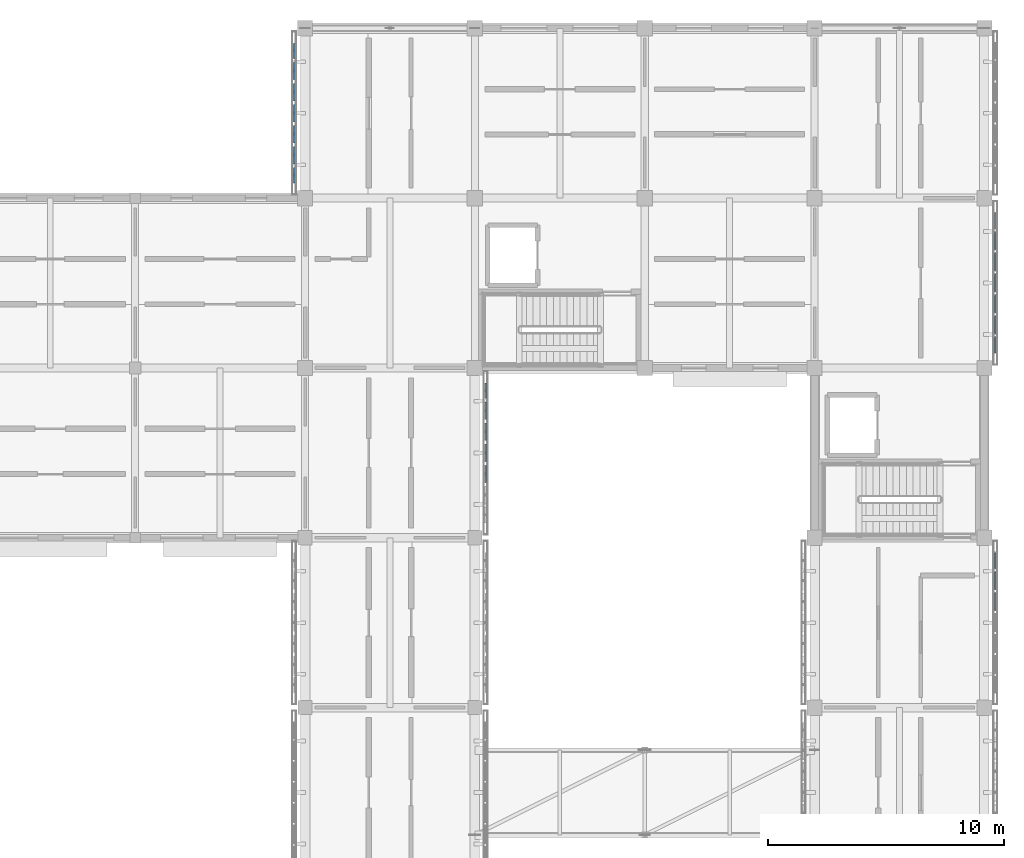
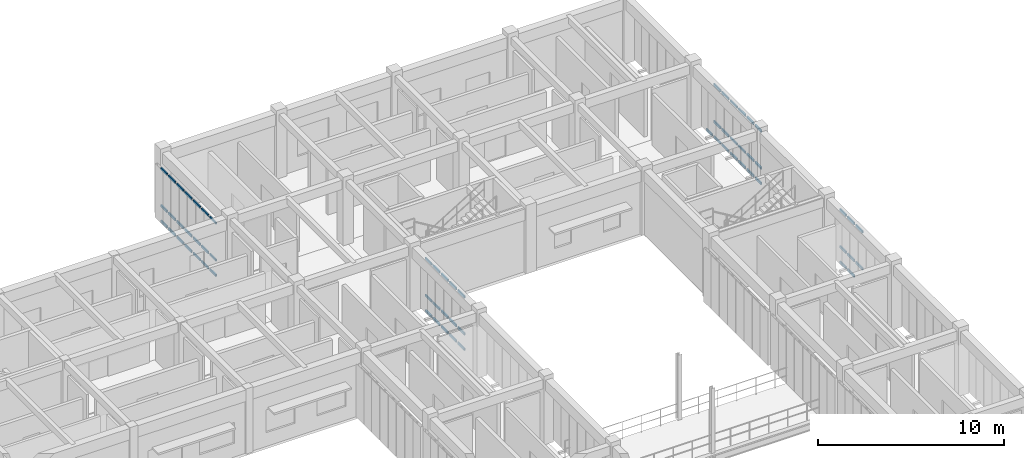
# One storey, part 90 of 171: 63 members, 4 elements without a shape of their own.
"""IFC4 building model written with IfcOpenShell, lengths in metres."""

from ifc_helpers import new_model, si_unit, direction, frame, origin, origin_2d, place, context, subcontext, project, spatial, hollow_rectangle, extrude, material, material_profile, profile_set, type_object, element, aggregate, save


model = new_model("IFC4")

# Units and contexts
model_context = context("Model", 3, precision=1e-05, world=origin(), true_north=direction((0.0, 1.0)))
body_context = subcontext(model_context, "Body", "Model", "MODEL_VIEW")
ifc_project = project(units=[si_unit("LENGTHUNIT", "METRE"), si_unit("AREAUNIT", "SQUARE_METRE"), si_unit("VOLUMEUNIT", "CUBIC_METRE"), si_unit("PLANEANGLEUNIT", "RADIAN"), si_unit("MASSUNIT", "GRAM", prefix="KILO")], contexts=[model_context])

# Site, building, storey
site_placement = place(None, origin())
site = spatial("IfcSite", under=ifc_project, at=site_placement, CompositionType="ELEMENT")
building_placement = place(site_placement, origin())
building = spatial("IfcBuilding", under=site, at=building_placement, Name="Aldebral Square Health Centre", CompositionType="ELEMENT")
storey_placement = place(building_placement, frame((0.0, 0.0, 4.5)))
storey = spatial("IfcBuildingStorey", under=building, at=storey_placement, Name="L01", CompositionType="ELEMENT", Elevation=4.5)

# Curtain wall, members
ifc_material_1 = material(Name="Aluminium and low-E solar glass", Category="aluminium")
curtain_wall_type = type_object("IfcCurtainWallType", Name="CW-FIN-SYS", PredefinedType="USERDEFINED", material=ifc_material_1)
curtain_wall_1_placement = place(storey_placement, origin())
curtain_wall_1 = element("IfcCurtainWall", 1, at=curtain_wall_1_placement, inside=storey, type_object=curtain_wall_type, Name="L01 V5 finned curtain wall L01-V5-19-13-E", ObjectType="SOLAR_CURTAIN_WALL", PredefinedType="USERDEFINED")
ifc_material_2 = material(Name="Anodised aluminium transom", Category="aluminium")
ifc_material_profile = material_profile(ifc_material_2, hollow_rectangle(XDim=0.074951171875, YDim=0.14990234375, WallThickness=0.00390625, at=origin_2d()), Name="CWT 75x150x4")
ifc_profile_set = profile_set([ifc_material_profile], Name="Anodised aluminium transom")
member_type = type_object("IfcMemberType", Name="CWT-STD", PredefinedType="USERDEFINED", material=ifc_profile_set)
member_1_placement = place(storey_placement, frame((144.4599609375, 95.94287109375, 0.03759765625), z_axis=(0.0, 1.0, 0.0), x_axis=(-1.0, 0.0, 0.0)))
member_1 = element("IfcMember", 2, at=member_1_placement, type_object=member_type, Name="CW1 transom 3.1", ObjectType="TRANSOM", PredefinedType="USERDEFINED", context=body_context, shape_type="SweptSolid", body=[
    extrude(hollow_rectangle(XDim=0.074951171875, YDim=0.14990234375, WallThickness=0.00390625, at=origin_2d()), origin(), (0.0, 0.0, 1.0), 0.7314453125),
])
member_2_placement = place(storey_placement, frame((144.4599609375, 95.94287109375, 1.050048828125), z_axis=(0.0, 1.0, 0.0), x_axis=(-1.0, 0.0, 0.0)))
member_2 = element("IfcMember", 3, at=member_2_placement, type_object=member_type, Name="CW1 transom 3.2", ObjectType="TRANSOM", PredefinedType="USERDEFINED", context=body_context, shape_type="SweptSolid", body=[
    extrude(hollow_rectangle(XDim=0.074951171875, YDim=0.14990234375, WallThickness=0.00390625, at=origin_2d()), origin(), (0.0, 0.0, 1.0), 0.7314453125),
])
member_3_placement = place(storey_placement, frame((144.4599609375, 95.94287109375, 3.482421875), z_axis=(0.0, 1.0, 0.0), x_axis=(-1.0, 0.0, 0.0)))
member_3 = element("IfcMember", 4, at=member_3_placement, type_object=member_type, Name="CW1 transom 3.3", ObjectType="TRANSOM", PredefinedType="USERDEFINED", context=body_context, shape_type="SweptSolid", body=[
    extrude(hollow_rectangle(XDim=0.074951171875, YDim=0.14990234375, WallThickness=0.00390625, at=origin_2d()), origin(), (0.0, 0.0, 1.0), 0.7314453125),
])
member_4_placement = place(storey_placement, frame((144.4599609375, 96.834228515625, 0.03759765625), z_axis=(0.0, 1.0, 0.0), x_axis=(-1.0, 0.0, 0.0)))
member_4 = element("IfcMember", 5, at=member_4_placement, type_object=member_type, Name="CW1 transom 4.1", ObjectType="TRANSOM", PredefinedType="USERDEFINED", context=body_context, shape_type="SweptSolid", body=[
    extrude(hollow_rectangle(XDim=0.074951171875, YDim=0.14990234375, WallThickness=0.00390625, at=origin_2d()), origin(), (0.0, 0.0, 1.0), 0.7314453125),
])
member_5_placement = place(storey_placement, frame((144.4599609375, 96.834228515625, 1.050048828125), z_axis=(0.0, 1.0, 0.0), x_axis=(-1.0, 0.0, 0.0)))
member_5 = element("IfcMember", 6, at=member_5_placement, type_object=member_type, Name="CW1 transom 4.2", ObjectType="TRANSOM", PredefinedType="USERDEFINED", context=body_context, shape_type="SweptSolid", body=[
    extrude(hollow_rectangle(XDim=0.074951171875, YDim=0.14990234375, WallThickness=0.00390625, at=origin_2d()), origin(), (0.0, 0.0, 1.0), 0.7314453125),
])
member_6_placement = place(storey_placement, frame((144.4599609375, 96.834228515625, 3.482421875), z_axis=(0.0, 1.0, 0.0), x_axis=(-1.0, 0.0, 0.0)))
member_6 = element("IfcMember", 7, at=member_6_placement, type_object=member_type, Name="CW1 transom 4.3", ObjectType="TRANSOM", PredefinedType="USERDEFINED", context=body_context, shape_type="SweptSolid", body=[
    extrude(hollow_rectangle(XDim=0.074951171875, YDim=0.14990234375, WallThickness=0.00390625, at=origin_2d()), origin(), (0.0, 0.0, 1.0), 0.7314453125),
])
member_7_placement = place(storey_placement, frame((144.4599609375, 97.725830078125, 0.03759765625), z_axis=(0.0, 1.0, 0.0), x_axis=(-1.0, 0.0, 0.0)))
member_7 = element("IfcMember", 8, at=member_7_placement, type_object=member_type, Name="CW1 transom 5.1", ObjectType="TRANSOM", PredefinedType="USERDEFINED", context=body_context, shape_type="SweptSolid", body=[
    extrude(hollow_rectangle(XDim=0.074951171875, YDim=0.14990234375, WallThickness=0.00390625, at=origin_2d()), origin(), (0.0, 0.0, 1.0), 0.731201171875),
])
member_8_placement = place(storey_placement, frame((144.4599609375, 97.725830078125, 1.050048828125), z_axis=(0.0, 1.0, 0.0), x_axis=(-1.0, 0.0, 0.0)))
member_8 = element("IfcMember", 9, at=member_8_placement, type_object=member_type, Name="CW1 transom 5.2", ObjectType="TRANSOM", PredefinedType="USERDEFINED", context=body_context, shape_type="SweptSolid", body=[
    extrude(hollow_rectangle(XDim=0.074951171875, YDim=0.14990234375, WallThickness=0.00390625, at=origin_2d()), origin(), (0.0, 0.0, 1.0), 0.731201171875),
])
member_9_placement = place(storey_placement, frame((144.4599609375, 97.725830078125, 3.482421875), z_axis=(0.0, 1.0, 0.0), x_axis=(-1.0, 0.0, 0.0)))
member_9 = element("IfcMember", 10, at=member_9_placement, type_object=member_type, Name="CW1 transom 5.3", ObjectType="TRANSOM", PredefinedType="USERDEFINED", context=body_context, shape_type="SweptSolid", body=[
    extrude(hollow_rectangle(XDim=0.074951171875, YDim=0.14990234375, WallThickness=0.00390625, at=origin_2d()), origin(), (0.0, 0.0, 1.0), 0.731201171875),
])
member_10_placement = place(storey_placement, frame((144.4599609375, 98.6171875, 0.03759765625), z_axis=(0.0, 1.0, 0.0), x_axis=(-1.0, 0.0, 0.0)))
member_10 = element("IfcMember", 11, at=member_10_placement, type_object=member_type, Name="CW1 transom 6.1", ObjectType="TRANSOM", PredefinedType="USERDEFINED", context=body_context, shape_type="SweptSolid", body=[
    extrude(hollow_rectangle(XDim=0.074951171875, YDim=0.14990234375, WallThickness=0.00390625, at=origin_2d()), origin(), (0.0, 0.0, 1.0), 0.7314453125),
])
member_11_placement = place(storey_placement, frame((144.4599609375, 98.6171875, 1.050048828125), z_axis=(0.0, 1.0, 0.0), x_axis=(-1.0, 0.0, 0.0)))
member_11 = element("IfcMember", 12, at=member_11_placement, type_object=member_type, Name="CW1 transom 6.2", ObjectType="TRANSOM", PredefinedType="USERDEFINED", context=body_context, shape_type="SweptSolid", body=[
    extrude(hollow_rectangle(XDim=0.074951171875, YDim=0.14990234375, WallThickness=0.00390625, at=origin_2d()), origin(), (0.0, 0.0, 1.0), 0.7314453125),
])
member_12_placement = place(storey_placement, frame((144.4599609375, 98.6171875, 3.482421875), z_axis=(0.0, 1.0, 0.0), x_axis=(-1.0, 0.0, 0.0)))
member_12 = element("IfcMember", 13, at=member_12_placement, type_object=member_type, Name="CW1 transom 6.3", ObjectType="TRANSOM", PredefinedType="USERDEFINED", context=body_context, shape_type="SweptSolid", body=[
    extrude(hollow_rectangle(XDim=0.074951171875, YDim=0.14990234375, WallThickness=0.00390625, at=origin_2d()), origin(), (0.0, 0.0, 1.0), 0.7314453125),
])
member_13_placement = place(storey_placement, frame((144.4599609375, 99.508544921875, 0.03759765625), z_axis=(0.0, 1.0, 0.0), x_axis=(-1.0, 0.0, 0.0)))
member_13 = element("IfcMember", 14, at=member_13_placement, type_object=member_type, Name="CW1 transom 7.1", ObjectType="TRANSOM", PredefinedType="USERDEFINED", context=body_context, shape_type="SweptSolid", body=[
    extrude(hollow_rectangle(XDim=0.074951171875, YDim=0.14990234375, WallThickness=0.00390625, at=origin_2d()), origin(), (0.0, 0.0, 1.0), 0.6513671875),
])
member_14_placement = place(storey_placement, frame((144.4599609375, 99.508544921875, 1.050048828125), z_axis=(0.0, 1.0, 0.0), x_axis=(-1.0, 0.0, 0.0)))
member_14 = element("IfcMember", 15, at=member_14_placement, type_object=member_type, Name="CW1 transom 7.2", ObjectType="TRANSOM", PredefinedType="USERDEFINED", context=body_context, shape_type="SweptSolid", body=[
    extrude(hollow_rectangle(XDim=0.074951171875, YDim=0.14990234375, WallThickness=0.00390625, at=origin_2d()), origin(), (0.0, 0.0, 1.0), 0.6513671875),
])
member_15_placement = place(storey_placement, frame((144.4599609375, 99.508544921875, 3.482421875), z_axis=(0.0, 1.0, 0.0), x_axis=(-1.0, 0.0, 0.0)))
member_15 = element("IfcMember", 16, at=member_15_placement, type_object=member_type, Name="CW1 transom 7.3", ObjectType="TRANSOM", PredefinedType="USERDEFINED", context=body_context, shape_type="SweptSolid", body=[
    extrude(hollow_rectangle(XDim=0.074951171875, YDim=0.14990234375, WallThickness=0.00390625, at=origin_2d()), origin(), (0.0, 0.0, 1.0), 0.6513671875),
])
aggregate(curtain_wall_1, [member_1, member_2, member_3, member_4, member_5, member_6, member_7, member_8, member_9, member_10, member_11, member_12, member_13, member_14, member_15])

curtain_wall_2_placement = place(storey_placement, origin())
curtain_wall_2 = element("IfcCurtainWall", 17, at=curtain_wall_2_placement, inside=storey, type_object=curtain_wall_type, Name="L01 V5 finned curtain wall L01-V5-19-15-W", ObjectType="SOLAR_CURTAIN_WALL", PredefinedType="USERDEFINED")
member_16_placement = place(storey_placement, frame((136.340087890625, 114.56005859375, 0.03759765625), z_axis=(0.0, -1.0, 0.0), x_axis=(1.0, 0.0, 0.0)))
member_16 = element("IfcMember", 18, at=member_16_placement, type_object=member_type, Name="CW1 transom 1.1", ObjectType="TRANSOM", PredefinedType="USERDEFINED", context=body_context, shape_type="SweptSolid", body=[
    extrude(hollow_rectangle(XDim=0.074951171875, YDim=0.14990234375, WallThickness=0.00390625, at=origin_2d()), origin(), (0.0, 0.0, 1.0), 0.6513671875),
])
member_17_placement = place(storey_placement, frame((136.340087890625, 114.56005859375, 1.050048828125), z_axis=(0.0, -1.0, 0.0), x_axis=(1.0, 0.0, 0.0)))
member_17 = element("IfcMember", 19, at=member_17_placement, type_object=member_type, Name="CW1 transom 1.2", ObjectType="TRANSOM", PredefinedType="USERDEFINED", context=body_context, shape_type="SweptSolid", body=[
    extrude(hollow_rectangle(XDim=0.074951171875, YDim=0.14990234375, WallThickness=0.00390625, at=origin_2d()), origin(), (0.0, 0.0, 1.0), 0.6513671875),
])
member_18_placement = place(storey_placement, frame((136.340087890625, 114.56005859375, 3.482421875), z_axis=(0.0, -1.0, 0.0), x_axis=(1.0, 0.0, 0.0)))
member_18 = element("IfcMember", 20, at=member_18_placement, type_object=member_type, Name="CW1 transom 1.3", ObjectType="TRANSOM", PredefinedType="USERDEFINED", context=body_context, shape_type="SweptSolid", body=[
    extrude(hollow_rectangle(XDim=0.074951171875, YDim=0.14990234375, WallThickness=0.00390625, at=origin_2d()), origin(), (0.0, 0.0, 1.0), 0.6513671875),
])
member_19_placement = place(storey_placement, frame((136.340087890625, 113.74853515625, 0.03759765625), z_axis=(0.0, -1.0, 0.0), x_axis=(1.0, 0.0, 0.0)))
member_19 = element("IfcMember", 21, at=member_19_placement, type_object=member_type, Name="CW1 transom 2.1", ObjectType="TRANSOM", PredefinedType="USERDEFINED", context=body_context, shape_type="SweptSolid", body=[
    extrude(hollow_rectangle(XDim=0.074951171875, YDim=0.14990234375, WallThickness=0.00390625, at=origin_2d()), origin(), (0.0, 0.0, 1.0), 0.7314453125),
])
member_20_placement = place(storey_placement, frame((136.340087890625, 113.74853515625, 1.050048828125), z_axis=(0.0, -1.0, 0.0), x_axis=(1.0, 0.0, 0.0)))
member_20 = element("IfcMember", 22, at=member_20_placement, type_object=member_type, Name="CW1 transom 2.2", ObjectType="TRANSOM", PredefinedType="USERDEFINED", context=body_context, shape_type="SweptSolid", body=[
    extrude(hollow_rectangle(XDim=0.074951171875, YDim=0.14990234375, WallThickness=0.00390625, at=origin_2d()), origin(), (0.0, 0.0, 1.0), 0.7314453125),
])
member_21_placement = place(storey_placement, frame((136.340087890625, 113.74853515625, 3.482421875), z_axis=(0.0, -1.0, 0.0), x_axis=(1.0, 0.0, 0.0)))
member_21 = element("IfcMember", 23, at=member_21_placement, type_object=member_type, Name="CW1 transom 2.3", ObjectType="TRANSOM", PredefinedType="USERDEFINED", context=body_context, shape_type="SweptSolid", body=[
    extrude(hollow_rectangle(XDim=0.074951171875, YDim=0.14990234375, WallThickness=0.00390625, at=origin_2d()), origin(), (0.0, 0.0, 1.0), 0.7314453125),
])
member_22_placement = place(storey_placement, frame((136.340087890625, 112.857177734375, 0.03759765625), z_axis=(0.0, -1.0, 0.0), x_axis=(1.0, 0.0, 0.0)))
member_22 = element("IfcMember", 24, at=member_22_placement, type_object=member_type, Name="CW1 transom 3.1", ObjectType="TRANSOM", PredefinedType="USERDEFINED", context=body_context, shape_type="SweptSolid", body=[
    extrude(hollow_rectangle(XDim=0.074951171875, YDim=0.14990234375, WallThickness=0.00390625, at=origin_2d()), origin(), (0.0, 0.0, 1.0), 0.7314453125),
])
member_23_placement = place(storey_placement, frame((136.340087890625, 112.857177734375, 1.050048828125), z_axis=(0.0, -1.0, 0.0), x_axis=(1.0, 0.0, 0.0)))
member_23 = element("IfcMember", 25, at=member_23_placement, type_object=member_type, Name="CW1 transom 3.2", ObjectType="TRANSOM", PredefinedType="USERDEFINED", context=body_context, shape_type="SweptSolid", body=[
    extrude(hollow_rectangle(XDim=0.074951171875, YDim=0.14990234375, WallThickness=0.00390625, at=origin_2d()), origin(), (0.0, 0.0, 1.0), 0.7314453125),
])
member_24_placement = place(storey_placement, frame((136.340087890625, 112.857177734375, 3.482421875), z_axis=(0.0, -1.0, 0.0), x_axis=(1.0, 0.0, 0.0)))
member_24 = element("IfcMember", 26, at=member_24_placement, type_object=member_type, Name="CW1 transom 3.3", ObjectType="TRANSOM", PredefinedType="USERDEFINED", context=body_context, shape_type="SweptSolid", body=[
    extrude(hollow_rectangle(XDim=0.074951171875, YDim=0.14990234375, WallThickness=0.00390625, at=origin_2d()), origin(), (0.0, 0.0, 1.0), 0.7314453125),
])
member_25_placement = place(storey_placement, frame((136.340087890625, 111.9658203125, 0.03759765625), z_axis=(0.0, -1.0, 0.0), x_axis=(1.0, 0.0, 0.0)))
member_25 = element("IfcMember", 27, at=member_25_placement, type_object=member_type, Name="CW1 transom 4.1", ObjectType="TRANSOM", PredefinedType="USERDEFINED", context=body_context, shape_type="SweptSolid", body=[
    extrude(hollow_rectangle(XDim=0.074951171875, YDim=0.14990234375, WallThickness=0.00390625, at=origin_2d()), origin(), (0.0, 0.0, 1.0), 0.7314453125),
])
member_26_placement = place(storey_placement, frame((136.340087890625, 111.9658203125, 1.050048828125), z_axis=(0.0, -1.0, 0.0), x_axis=(1.0, 0.0, 0.0)))
member_26 = element("IfcMember", 28, at=member_26_placement, type_object=member_type, Name="CW1 transom 4.2", ObjectType="TRANSOM", PredefinedType="USERDEFINED", context=body_context, shape_type="SweptSolid", body=[
    extrude(hollow_rectangle(XDim=0.074951171875, YDim=0.14990234375, WallThickness=0.00390625, at=origin_2d()), origin(), (0.0, 0.0, 1.0), 0.7314453125),
])
member_27_placement = place(storey_placement, frame((136.340087890625, 111.9658203125, 3.482421875), z_axis=(0.0, -1.0, 0.0), x_axis=(1.0, 0.0, 0.0)))
member_27 = element("IfcMember", 29, at=member_27_placement, type_object=member_type, Name="CW1 transom 4.3", ObjectType="TRANSOM", PredefinedType="USERDEFINED", context=body_context, shape_type="SweptSolid", body=[
    extrude(hollow_rectangle(XDim=0.074951171875, YDim=0.14990234375, WallThickness=0.00390625, at=origin_2d()), origin(), (0.0, 0.0, 1.0), 0.7314453125),
])
member_28_placement = place(storey_placement, frame((136.340087890625, 111.07421875, 0.03759765625), z_axis=(0.0, -1.0, 0.0), x_axis=(1.0, 0.0, 0.0)))
member_28 = element("IfcMember", 30, at=member_28_placement, type_object=member_type, Name="CW1 transom 5.1", ObjectType="TRANSOM", PredefinedType="USERDEFINED", context=body_context, shape_type="SweptSolid", body=[
    extrude(hollow_rectangle(XDim=0.074951171875, YDim=0.14990234375, WallThickness=0.00390625, at=origin_2d()), origin(), (0.0, 0.0, 1.0), 0.7314453125),
])
member_29_placement = place(storey_placement, frame((136.340087890625, 111.07421875, 1.050048828125), z_axis=(0.0, -1.0, 0.0), x_axis=(1.0, 0.0, 0.0)))
member_29 = element("IfcMember", 31, at=member_29_placement, type_object=member_type, Name="CW1 transom 5.2", ObjectType="TRANSOM", PredefinedType="USERDEFINED", context=body_context, shape_type="SweptSolid", body=[
    extrude(hollow_rectangle(XDim=0.074951171875, YDim=0.14990234375, WallThickness=0.00390625, at=origin_2d()), origin(), (0.0, 0.0, 1.0), 0.7314453125),
])
member_30_placement = place(storey_placement, frame((136.340087890625, 111.07421875, 3.482421875), z_axis=(0.0, -1.0, 0.0), x_axis=(1.0, 0.0, 0.0)))
member_30 = element("IfcMember", 32, at=member_30_placement, type_object=member_type, Name="CW1 transom 5.3", ObjectType="TRANSOM", PredefinedType="USERDEFINED", context=body_context, shape_type="SweptSolid", body=[
    extrude(hollow_rectangle(XDim=0.074951171875, YDim=0.14990234375, WallThickness=0.00390625, at=origin_2d()), origin(), (0.0, 0.0, 1.0), 0.7314453125),
])
member_31_placement = place(storey_placement, frame((136.340087890625, 110.182861328125, 0.03759765625), z_axis=(0.0, -1.0, 0.0), x_axis=(1.0, 0.0, 0.0)))
member_31 = element("IfcMember", 33, at=member_31_placement, type_object=member_type, Name="CW1 transom 6.1", ObjectType="TRANSOM", PredefinedType="USERDEFINED", context=body_context, shape_type="SweptSolid", body=[
    extrude(hollow_rectangle(XDim=0.074951171875, YDim=0.14990234375, WallThickness=0.00390625, at=origin_2d()), origin(), (0.0, 0.0, 1.0), 0.7314453125),
])
member_32_placement = place(storey_placement, frame((136.340087890625, 110.182861328125, 1.050048828125), z_axis=(0.0, -1.0, 0.0), x_axis=(1.0, 0.0, 0.0)))
member_32 = element("IfcMember", 34, at=member_32_placement, type_object=member_type, Name="CW1 transom 6.2", ObjectType="TRANSOM", PredefinedType="USERDEFINED", context=body_context, shape_type="SweptSolid", body=[
    extrude(hollow_rectangle(XDim=0.074951171875, YDim=0.14990234375, WallThickness=0.00390625, at=origin_2d()), origin(), (0.0, 0.0, 1.0), 0.7314453125),
])
member_33_placement = place(storey_placement, frame((136.340087890625, 110.182861328125, 3.482421875), z_axis=(0.0, -1.0, 0.0), x_axis=(1.0, 0.0, 0.0)))
member_33 = element("IfcMember", 35, at=member_33_placement, type_object=member_type, Name="CW1 transom 6.3", ObjectType="TRANSOM", PredefinedType="USERDEFINED", context=body_context, shape_type="SweptSolid", body=[
    extrude(hollow_rectangle(XDim=0.074951171875, YDim=0.14990234375, WallThickness=0.00390625, at=origin_2d()), origin(), (0.0, 0.0, 1.0), 0.7314453125),
])
member_34_placement = place(storey_placement, frame((136.340087890625, 109.29150390625, 0.03759765625), z_axis=(0.0, -1.0, 0.0), x_axis=(1.0, 0.0, 0.0)))
member_34 = element("IfcMember", 36, at=member_34_placement, type_object=member_type, Name="CW1 transom 7.1", ObjectType="TRANSOM", PredefinedType="USERDEFINED", context=body_context, shape_type="SweptSolid", body=[
    extrude(hollow_rectangle(XDim=0.074951171875, YDim=0.14990234375, WallThickness=0.00390625, at=origin_2d()), origin(), (0.0, 0.0, 1.0), 0.651611328125),
])
member_35_placement = place(storey_placement, frame((136.340087890625, 109.29150390625, 1.050048828125), z_axis=(0.0, -1.0, 0.0), x_axis=(1.0, 0.0, 0.0)))
member_35 = element("IfcMember", 37, at=member_35_placement, type_object=member_type, Name="CW1 transom 7.2", ObjectType="TRANSOM", PredefinedType="USERDEFINED", context=body_context, shape_type="SweptSolid", body=[
    extrude(hollow_rectangle(XDim=0.074951171875, YDim=0.14990234375, WallThickness=0.00390625, at=origin_2d()), origin(), (0.0, 0.0, 1.0), 0.651611328125),
])
member_36_placement = place(storey_placement, frame((136.340087890625, 109.29150390625, 3.482421875), z_axis=(0.0, -1.0, 0.0), x_axis=(1.0, 0.0, 0.0)))
member_36 = element("IfcMember", 38, at=member_36_placement, type_object=member_type, Name="CW1 transom 7.3", ObjectType="TRANSOM", PredefinedType="USERDEFINED", context=body_context, shape_type="SweptSolid", body=[
    extrude(hollow_rectangle(XDim=0.074951171875, YDim=0.14990234375, WallThickness=0.00390625, at=origin_2d()), origin(), (0.0, 0.0, 1.0), 0.651611328125),
])
aggregate(curtain_wall_2, [member_16, member_17, member_18, member_19, member_20, member_21, member_22, member_23, member_24, member_25, member_26, member_27, member_28, member_29, member_30, member_31, member_32, member_33, member_34, member_35, member_36])

curtain_wall_3_placement = place(storey_placement, origin())
curtain_wall_3 = element("IfcCurtainWall", 39, at=curtain_wall_3_placement, inside=storey, type_object=curtain_wall_type, Name="L01 V5 finned curtain wall L01-V5-22-12-E", ObjectType="SOLAR_CURTAIN_WALL", PredefinedType="USERDEFINED")
member_37_placement = place(storey_placement, frame((166.06005859375, 90.525634765625, 1.050048828125), z_axis=(0.0, 1.0, 0.0), x_axis=(-1.0, 0.0, 0.0)))
member_37 = element("IfcMember", 40, at=member_37_placement, type_object=member_type, Name="CW1 transom 5.2", ObjectType="TRANSOM", PredefinedType="USERDEFINED", context=body_context, shape_type="SweptSolid", body=[
    extrude(hollow_rectangle(XDim=0.074951171875, YDim=0.14990234375, WallThickness=0.00390625, at=origin_2d()), origin(), (0.0, 0.0, 1.0), 0.7314453125),
])
member_38_placement = place(storey_placement, frame((166.06005859375, 90.525634765625, 3.482421875), z_axis=(0.0, 1.0, 0.0), x_axis=(-1.0, 0.0, 0.0)))
member_38 = element("IfcMember", 41, at=member_38_placement, type_object=member_type, Name="CW1 transom 5.3", ObjectType="TRANSOM", PredefinedType="USERDEFINED", context=body_context, shape_type="SweptSolid", body=[
    extrude(hollow_rectangle(XDim=0.074951171875, YDim=0.14990234375, WallThickness=0.00390625, at=origin_2d()), origin(), (0.0, 0.0, 1.0), 0.7314453125),
])
member_39_placement = place(storey_placement, frame((166.06005859375, 91.417236328125, 0.03759765625), z_axis=(0.0, 1.0, 0.0), x_axis=(-1.0, 0.0, 0.0)))
member_39 = element("IfcMember", 42, at=member_39_placement, type_object=member_type, Name="CW1 transom 6.1", ObjectType="TRANSOM", PredefinedType="USERDEFINED", context=body_context, shape_type="SweptSolid", body=[
    extrude(hollow_rectangle(XDim=0.074951171875, YDim=0.14990234375, WallThickness=0.00390625, at=origin_2d()), origin(), (0.0, 0.0, 1.0), 0.7314453125),
])
member_40_placement = place(storey_placement, frame((166.06005859375, 91.417236328125, 1.050048828125), z_axis=(0.0, 1.0, 0.0), x_axis=(-1.0, 0.0, 0.0)))
member_40 = element("IfcMember", 43, at=member_40_placement, type_object=member_type, Name="CW1 transom 6.2", ObjectType="TRANSOM", PredefinedType="USERDEFINED", context=body_context, shape_type="SweptSolid", body=[
    extrude(hollow_rectangle(XDim=0.074951171875, YDim=0.14990234375, WallThickness=0.00390625, at=origin_2d()), origin(), (0.0, 0.0, 1.0), 0.7314453125),
])
member_41_placement = place(storey_placement, frame((166.06005859375, 91.417236328125, 3.482421875), z_axis=(0.0, 1.0, 0.0), x_axis=(-1.0, 0.0, 0.0)))
member_41 = element("IfcMember", 44, at=member_41_placement, type_object=member_type, Name="CW1 transom 6.3", ObjectType="TRANSOM", PredefinedType="USERDEFINED", context=body_context, shape_type="SweptSolid", body=[
    extrude(hollow_rectangle(XDim=0.074951171875, YDim=0.14990234375, WallThickness=0.00390625, at=origin_2d()), origin(), (0.0, 0.0, 1.0), 0.7314453125),
])
member_42_placement = place(storey_placement, frame((166.06005859375, 92.30859375, 0.03759765625), z_axis=(0.0, 1.0, 0.0), x_axis=(-1.0, 0.0, 0.0)))
member_42 = element("IfcMember", 45, at=member_42_placement, type_object=member_type, Name="CW1 transom 7.1", ObjectType="TRANSOM", PredefinedType="USERDEFINED", context=body_context, shape_type="SweptSolid", body=[
    extrude(hollow_rectangle(XDim=0.074951171875, YDim=0.14990234375, WallThickness=0.00390625, at=origin_2d()), origin(), (0.0, 0.0, 1.0), 0.6513671875),
])
member_43_placement = place(storey_placement, frame((166.06005859375, 92.30859375, 1.050048828125), z_axis=(0.0, 1.0, 0.0), x_axis=(-1.0, 0.0, 0.0)))
member_43 = element("IfcMember", 46, at=member_43_placement, type_object=member_type, Name="CW1 transom 7.2", ObjectType="TRANSOM", PredefinedType="USERDEFINED", context=body_context, shape_type="SweptSolid", body=[
    extrude(hollow_rectangle(XDim=0.074951171875, YDim=0.14990234375, WallThickness=0.00390625, at=origin_2d()), origin(), (0.0, 0.0, 1.0), 0.6513671875),
])
member_44_placement = place(storey_placement, frame((166.06005859375, 92.30859375, 3.482421875), z_axis=(0.0, 1.0, 0.0), x_axis=(-1.0, 0.0, 0.0)))
member_44 = element("IfcMember", 47, at=member_44_placement, type_object=member_type, Name="CW1 transom 7.3", ObjectType="TRANSOM", PredefinedType="USERDEFINED", context=body_context, shape_type="SweptSolid", body=[
    extrude(hollow_rectangle(XDim=0.074951171875, YDim=0.14990234375, WallThickness=0.00390625, at=origin_2d()), origin(), (0.0, 0.0, 1.0), 0.6513671875),
])
aggregate(curtain_wall_3, [member_37, member_38, member_39, member_40, member_41, member_42, member_43, member_44])

curtain_wall_4_placement = place(storey_placement, origin())
curtain_wall_4 = element("IfcCurtainWall", 48, at=curtain_wall_4_placement, inside=storey, type_object=curtain_wall_type, Name="L01 V5 finned curtain wall L01-V5-22-14-E", ObjectType="SOLAR_CURTAIN_WALL", PredefinedType="USERDEFINED")
member_45_placement = place(storey_placement, frame((166.06005859375, 101.43994140625, 0.03759765625), z_axis=(0.0, 1.0, 0.0), x_axis=(-1.0, 0.0, 0.0)))
member_45 = element("IfcMember", 49, at=member_45_placement, type_object=member_type, Name="CW1 transom 1.1", ObjectType="TRANSOM", PredefinedType="USERDEFINED", context=body_context, shape_type="SweptSolid", body=[
    extrude(hollow_rectangle(XDim=0.074951171875, YDim=0.14990234375, WallThickness=0.00390625, at=origin_2d()), origin(), (0.0, 0.0, 1.0), 0.6513671875),
])
member_46_placement = place(storey_placement, frame((166.06005859375, 101.43994140625, 1.050048828125), z_axis=(0.0, 1.0, 0.0), x_axis=(-1.0, 0.0, 0.0)))
member_46 = element("IfcMember", 50, at=member_46_placement, type_object=member_type, Name="CW1 transom 1.2", ObjectType="TRANSOM", PredefinedType="USERDEFINED", context=body_context, shape_type="SweptSolid", body=[
    extrude(hollow_rectangle(XDim=0.074951171875, YDim=0.14990234375, WallThickness=0.00390625, at=origin_2d()), origin(), (0.0, 0.0, 1.0), 0.6513671875),
])
member_47_placement = place(storey_placement, frame((166.06005859375, 101.43994140625, 3.482421875), z_axis=(0.0, 1.0, 0.0), x_axis=(-1.0, 0.0, 0.0)))
member_47 = element("IfcMember", 51, at=member_47_placement, type_object=member_type, Name="CW1 transom 1.3", ObjectType="TRANSOM", PredefinedType="USERDEFINED", context=body_context, shape_type="SweptSolid", body=[
    extrude(hollow_rectangle(XDim=0.074951171875, YDim=0.14990234375, WallThickness=0.00390625, at=origin_2d()), origin(), (0.0, 0.0, 1.0), 0.6513671875),
])
member_48_placement = place(storey_placement, frame((166.06005859375, 102.25146484375, 0.03759765625), z_axis=(0.0, 1.0, 0.0), x_axis=(-1.0, 0.0, 0.0)))
member_48 = element("IfcMember", 52, at=member_48_placement, type_object=member_type, Name="CW1 transom 2.1", ObjectType="TRANSOM", PredefinedType="USERDEFINED", context=body_context, shape_type="SweptSolid", body=[
    extrude(hollow_rectangle(XDim=0.074951171875, YDim=0.14990234375, WallThickness=0.00390625, at=origin_2d()), origin(), (0.0, 0.0, 1.0), 0.7314453125),
])
member_49_placement = place(storey_placement, frame((166.06005859375, 102.25146484375, 1.050048828125), z_axis=(0.0, 1.0, 0.0), x_axis=(-1.0, 0.0, 0.0)))
member_49 = element("IfcMember", 53, at=member_49_placement, type_object=member_type, Name="CW1 transom 2.2", ObjectType="TRANSOM", PredefinedType="USERDEFINED", context=body_context, shape_type="SweptSolid", body=[
    extrude(hollow_rectangle(XDim=0.074951171875, YDim=0.14990234375, WallThickness=0.00390625, at=origin_2d()), origin(), (0.0, 0.0, 1.0), 0.7314453125),
])
member_50_placement = place(storey_placement, frame((166.06005859375, 102.25146484375, 3.482421875), z_axis=(0.0, 1.0, 0.0), x_axis=(-1.0, 0.0, 0.0)))
member_50 = element("IfcMember", 54, at=member_50_placement, type_object=member_type, Name="CW1 transom 2.3", ObjectType="TRANSOM", PredefinedType="USERDEFINED", context=body_context, shape_type="SweptSolid", body=[
    extrude(hollow_rectangle(XDim=0.074951171875, YDim=0.14990234375, WallThickness=0.00390625, at=origin_2d()), origin(), (0.0, 0.0, 1.0), 0.7314453125),
])
member_51_placement = place(storey_placement, frame((166.06005859375, 103.142822265625, 0.03759765625), z_axis=(0.0, 1.0, 0.0), x_axis=(-1.0, 0.0, 0.0)))
member_51 = element("IfcMember", 55, at=member_51_placement, type_object=member_type, Name="CW1 transom 3.1", ObjectType="TRANSOM", PredefinedType="USERDEFINED", context=body_context, shape_type="SweptSolid", body=[
    extrude(hollow_rectangle(XDim=0.074951171875, YDim=0.14990234375, WallThickness=0.00390625, at=origin_2d()), origin(), (0.0, 0.0, 1.0), 0.7314453125),
])
member_52_placement = place(storey_placement, frame((166.06005859375, 103.142822265625, 1.050048828125), z_axis=(0.0, 1.0, 0.0), x_axis=(-1.0, 0.0, 0.0)))
member_52 = element("IfcMember", 56, at=member_52_placement, type_object=member_type, Name="CW1 transom 3.2", ObjectType="TRANSOM", PredefinedType="USERDEFINED", context=body_context, shape_type="SweptSolid", body=[
    extrude(hollow_rectangle(XDim=0.074951171875, YDim=0.14990234375, WallThickness=0.00390625, at=origin_2d()), origin(), (0.0, 0.0, 1.0), 0.7314453125),
])
member_53_placement = place(storey_placement, frame((166.06005859375, 103.142822265625, 3.482421875), z_axis=(0.0, 1.0, 0.0), x_axis=(-1.0, 0.0, 0.0)))
member_53 = element("IfcMember", 57, at=member_53_placement, type_object=member_type, Name="CW1 transom 3.3", ObjectType="TRANSOM", PredefinedType="USERDEFINED", context=body_context, shape_type="SweptSolid", body=[
    extrude(hollow_rectangle(XDim=0.074951171875, YDim=0.14990234375, WallThickness=0.00390625, at=origin_2d()), origin(), (0.0, 0.0, 1.0), 0.7314453125),
])
member_54_placement = place(storey_placement, frame((166.06005859375, 104.0341796875, 0.03759765625), z_axis=(0.0, 1.0, 0.0), x_axis=(-1.0, 0.0, 0.0)))
member_54 = element("IfcMember", 58, at=member_54_placement, type_object=member_type, Name="CW1 transom 4.1", ObjectType="TRANSOM", PredefinedType="USERDEFINED", context=body_context, shape_type="SweptSolid", body=[
    extrude(hollow_rectangle(XDim=0.074951171875, YDim=0.14990234375, WallThickness=0.00390625, at=origin_2d()), origin(), (0.0, 0.0, 1.0), 0.7314453125),
])
member_55_placement = place(storey_placement, frame((166.06005859375, 104.0341796875, 1.050048828125), z_axis=(0.0, 1.0, 0.0), x_axis=(-1.0, 0.0, 0.0)))
member_55 = element("IfcMember", 59, at=member_55_placement, type_object=member_type, Name="CW1 transom 4.2", ObjectType="TRANSOM", PredefinedType="USERDEFINED", context=body_context, shape_type="SweptSolid", body=[
    extrude(hollow_rectangle(XDim=0.074951171875, YDim=0.14990234375, WallThickness=0.00390625, at=origin_2d()), origin(), (0.0, 0.0, 1.0), 0.7314453125),
])
member_56_placement = place(storey_placement, frame((166.06005859375, 104.0341796875, 3.482421875), z_axis=(0.0, 1.0, 0.0), x_axis=(-1.0, 0.0, 0.0)))
member_56 = element("IfcMember", 60, at=member_56_placement, type_object=member_type, Name="CW1 transom 4.3", ObjectType="TRANSOM", PredefinedType="USERDEFINED", context=body_context, shape_type="SweptSolid", body=[
    extrude(hollow_rectangle(XDim=0.074951171875, YDim=0.14990234375, WallThickness=0.00390625, at=origin_2d()), origin(), (0.0, 0.0, 1.0), 0.7314453125),
])
member_57_placement = place(storey_placement, frame((166.06005859375, 104.92578125, 0.03759765625), z_axis=(0.0, 1.0, 0.0), x_axis=(-1.0, 0.0, 0.0)))
member_57 = element("IfcMember", 61, at=member_57_placement, type_object=member_type, Name="CW1 transom 5.1", ObjectType="TRANSOM", PredefinedType="USERDEFINED", context=body_context, shape_type="SweptSolid", body=[
    extrude(hollow_rectangle(XDim=0.074951171875, YDim=0.14990234375, WallThickness=0.00390625, at=origin_2d()), origin(), (0.0, 0.0, 1.0), 0.7314453125),
])
member_58_placement = place(storey_placement, frame((166.06005859375, 104.92578125, 1.050048828125), z_axis=(0.0, 1.0, 0.0), x_axis=(-1.0, 0.0, 0.0)))
member_58 = element("IfcMember", 62, at=member_58_placement, type_object=member_type, Name="CW1 transom 5.2", ObjectType="TRANSOM", PredefinedType="USERDEFINED", context=body_context, shape_type="SweptSolid", body=[
    extrude(hollow_rectangle(XDim=0.074951171875, YDim=0.14990234375, WallThickness=0.00390625, at=origin_2d()), origin(), (0.0, 0.0, 1.0), 0.7314453125),
])
member_59_placement = place(storey_placement, frame((166.06005859375, 104.92578125, 3.482421875), z_axis=(0.0, 1.0, 0.0), x_axis=(-1.0, 0.0, 0.0)))
member_59 = element("IfcMember", 63, at=member_59_placement, type_object=member_type, Name="CW1 transom 5.3", ObjectType="TRANSOM", PredefinedType="USERDEFINED", context=body_context, shape_type="SweptSolid", body=[
    extrude(hollow_rectangle(XDim=0.074951171875, YDim=0.14990234375, WallThickness=0.00390625, at=origin_2d()), origin(), (0.0, 0.0, 1.0), 0.7314453125),
])
member_60_placement = place(storey_placement, frame((166.06005859375, 105.817138671875, 0.03759765625), z_axis=(0.0, 1.0, 0.0), x_axis=(-1.0, 0.0, 0.0)))
member_60 = element("IfcMember", 64, at=member_60_placement, type_object=member_type, Name="CW1 transom 6.1", ObjectType="TRANSOM", PredefinedType="USERDEFINED", context=body_context, shape_type="SweptSolid", body=[
    extrude(hollow_rectangle(XDim=0.074951171875, YDim=0.14990234375, WallThickness=0.00390625, at=origin_2d()), origin(), (0.0, 0.0, 1.0), 0.7314453125),
])
member_61_placement = place(storey_placement, frame((166.06005859375, 105.817138671875, 1.050048828125), z_axis=(0.0, 1.0, 0.0), x_axis=(-1.0, 0.0, 0.0)))
member_61 = element("IfcMember", 65, at=member_61_placement, type_object=member_type, Name="CW1 transom 6.2", ObjectType="TRANSOM", PredefinedType="USERDEFINED", context=body_context, shape_type="SweptSolid", body=[
    extrude(hollow_rectangle(XDim=0.074951171875, YDim=0.14990234375, WallThickness=0.00390625, at=origin_2d()), origin(), (0.0, 0.0, 1.0), 0.7314453125),
])
member_62_placement = place(storey_placement, frame((166.06005859375, 105.817138671875, 3.482421875), z_axis=(0.0, 1.0, 0.0), x_axis=(-1.0, 0.0, 0.0)))
member_62 = element("IfcMember", 66, at=member_62_placement, type_object=member_type, Name="CW1 transom 6.3", ObjectType="TRANSOM", PredefinedType="USERDEFINED", context=body_context, shape_type="SweptSolid", body=[
    extrude(hollow_rectangle(XDim=0.074951171875, YDim=0.14990234375, WallThickness=0.00390625, at=origin_2d()), origin(), (0.0, 0.0, 1.0), 0.7314453125),
])
member_63_placement = place(storey_placement, frame((166.06005859375, 106.70849609375, 0.03759765625), z_axis=(0.0, 1.0, 0.0), x_axis=(-1.0, 0.0, 0.0)))
member_63 = element("IfcMember", 67, at=member_63_placement, type_object=member_type, Name="CW1 transom 7.1", ObjectType="TRANSOM", PredefinedType="USERDEFINED", context=body_context, shape_type="SweptSolid", body=[
    extrude(hollow_rectangle(XDim=0.074951171875, YDim=0.14990234375, WallThickness=0.00390625, at=origin_2d()), origin(), (0.0, 0.0, 1.0), 0.651611328125),
])
aggregate(curtain_wall_4, [member_45, member_46, member_47, member_48, member_49, member_50, member_51, member_52, member_53, member_54, member_55, member_56, member_57, member_58, member_59, member_60, member_61, member_62, member_63])

save(model, "model.ifc")
